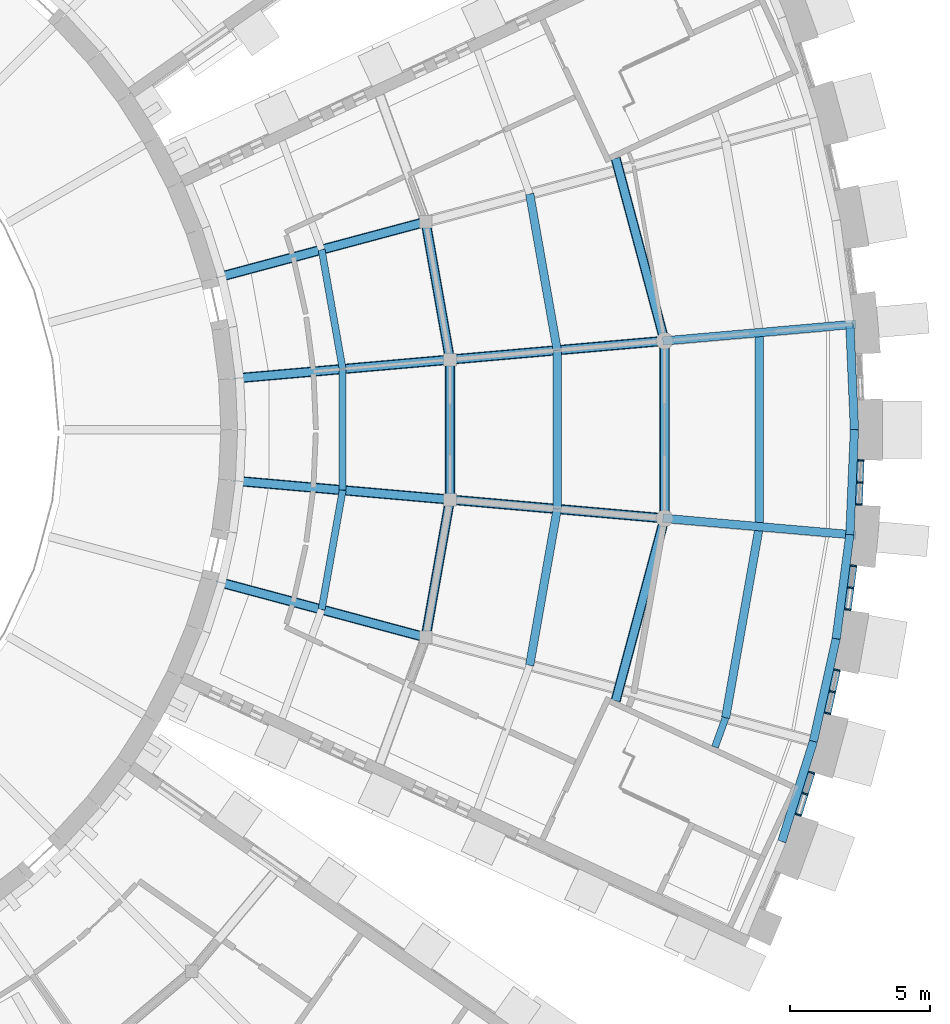
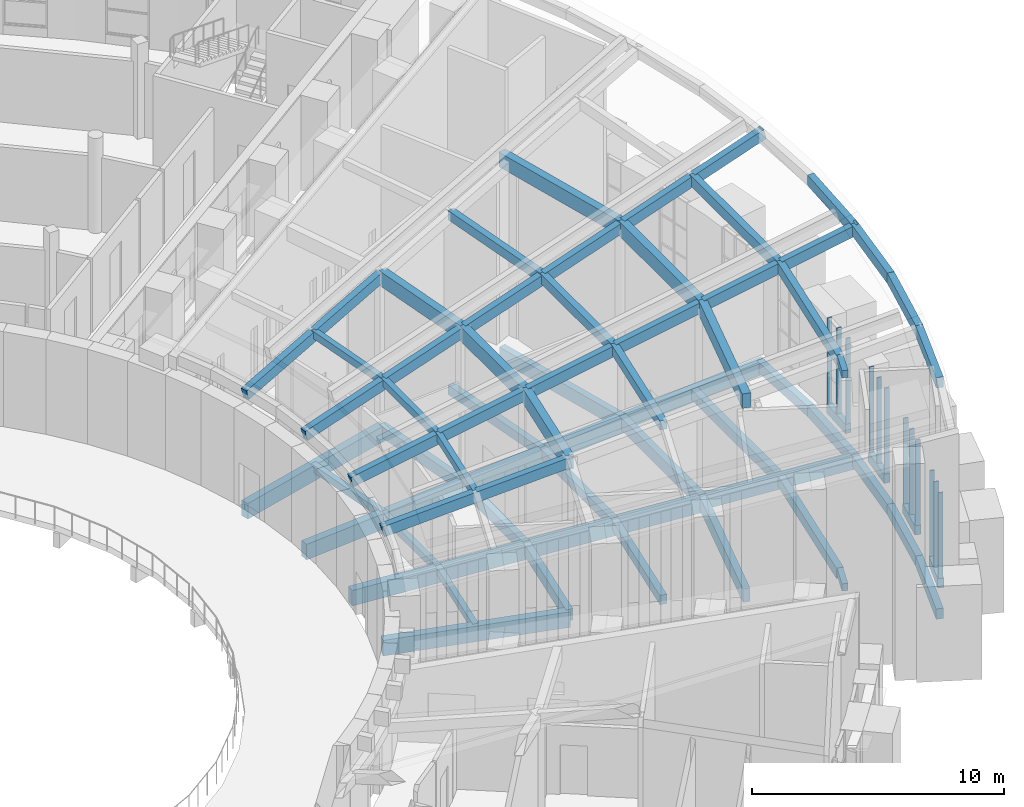
# One storey, part 7 of 50: 59 beams, 12 members, 4 elements without a shape of their own.
"""IFC4 building model written with IfcOpenShell, lengths in metres."""

from ifc_helpers import new_model, si_unit, direction, frame, origin, origin_2d, place, context, subcontext, project, spatial, rectangle, extrude, material, layer, layer_set, material_profile, profile_set, type_object, element, aggregate, save


model = new_model("IFC4")

# Units and contexts
model_context = context("Model", 3, precision=1e-05, world=origin(), true_north=direction((0.0, 1.0)))
body_context = subcontext(model_context, "Body", "Model", "MODEL_VIEW")
ifc_project = project(units=[si_unit("LENGTHUNIT", "METRE"), si_unit("AREAUNIT", "SQUARE_METRE"), si_unit("VOLUMEUNIT", "CUBIC_METRE"), si_unit("PLANEANGLEUNIT", "RADIAN"), si_unit("MASSUNIT", "GRAM", prefix="KILO")], contexts=[model_context])

# Site, building, storey
site_placement = place(None, origin())
site = spatial("IfcSite", under=ifc_project, at=site_placement, CompositionType="ELEMENT")
building_placement = place(site_placement, origin())
building = spatial("IfcBuilding", under=site, at=building_placement, Name="Volute Hill Aquarium", CompositionType="ELEMENT")
storey_placement = place(building_placement, frame((0.0, 0.0, 9.199951171875)))
storey = spatial("IfcBuildingStorey", under=building, at=storey_placement, Name="L03", CompositionType="ELEMENT", Elevation=9.199951171875)

# Beams
ifc_material_1 = material(Name="Concrete C35/45", Category="concrete")
ifc_material_profile_1 = material_profile(ifc_material_1, rectangle(XDim=0.300048828125, YDim=0.550048828125, at=origin_2d()), Name="RC beam 300x550")
ifc_profile_set_1 = profile_set([ifc_material_profile_1], Name="Concrete C35/45")
beam_type_1 = type_object("IfcBeamType", Name="Beam 300x550 C35/45", PredefinedType="BEAM", material=ifc_profile_set_1)
beam_1_placement = place(storey_placement, frame((27.72216796875, -7.427978515625, -0.514892578125), z_axis=(0.173643342996, 0.984808605483, 0.0), x_axis=(-0.984808605483, 0.173643342996, 0.0)))
element("IfcBeam", 1, at=beam_1_placement, inside=storey, type_object=beam_type_1, Name="bm/S4/L03/ring1.12", PredefinedType="BEAM", context=body_context, shape_type="SweptSolid", body=[
    extrude(rectangle(XDim=0.300048828125, YDim=0.550048828125, at=origin_2d()), origin(), (0.0, 0.0, 1.0), 5.00244140625),
])
beam_2_placement = place(storey_placement, frame((28.5908203125, -2.50146484375, -0.514892578125), z_axis=(0.0, 1.0, 0.0), x_axis=(-1.0, 0.0, 0.0)))
element("IfcBeam", 2, at=beam_2_placement, inside=storey, type_object=beam_type_1, Name="bm/S4/L03/ring1.13", PredefinedType="BEAM", context=body_context, shape_type="SweptSolid", body=[
    extrude(rectangle(XDim=0.300048828125, YDim=0.550048828125, at=origin_2d()), origin(), (0.0, 0.0, 1.0), 5.0029296875),
])
beam_3_placement = place(storey_placement, frame((28.5908203125, 2.50146484375, -0.514892578125), z_axis=(-0.173643342996, 0.984808605483, 0.0), x_axis=(-0.984808605483, -0.173643342996, 0.0)))
element("IfcBeam", 3, at=beam_3_placement, inside=storey, type_object=beam_type_1, Name="bm/S4/L03/ring1.14", PredefinedType="BEAM", context=body_context, shape_type="SweptSolid", body=[
    extrude(rectangle(XDim=0.300048828125, YDim=0.550048828125, at=origin_2d()), origin(), (0.0, 0.0, 1.0), 5.00244140625),
])
ifc_material_2 = material(Name="Concrete C35/45", Category="concrete")
ifc_material_profile_2 = material_profile(ifc_material_2, rectangle(XDim=0.300048828125, YDim=0.60009765625, at=origin_2d()), Name="RC beam 300x600")
ifc_profile_set_2 = profile_set([ifc_material_profile_2], Name="Concrete C35/45")
beam_type_2 = type_object("IfcBeamType", Name="Beam 300x600 C35/45", PredefinedType="BEAM", material=ifc_profile_set_2)
beam_4_placement = place(storey_placement, frame((36.261474609375, -3.172607421875, -0.5400390625), z_axis=(0.0, 1.0, 0.0), x_axis=(-1.0, 0.0, 0.0)))
element("IfcBeam", 4, at=beam_4_placement, inside=storey, type_object=beam_type_2, Name="bm/S4/L03/ring2.17", PredefinedType="BEAM", context=body_context, shape_type="SweptSolid", body=[
    extrude(rectangle(XDim=0.300048828125, YDim=0.60009765625, at=origin_2d()), origin(), (0.0, 0.0, 1.0), 6.34521484375),
])
ifc_material_3 = material(Name="Concrete C35/45", Category="concrete")
ifc_material_profile_3 = material_profile(ifc_material_3, rectangle(XDim=0.300048828125, YDim=0.64990234375, at=origin_2d()), Name="RC beam 300x650")
ifc_profile_set_3 = profile_set([ifc_material_profile_3], Name="Concrete C35/45")
beam_type_3 = type_object("IfcBeamType", Name="Beam 300x650 C35/45", PredefinedType="BEAM", material=ifc_profile_set_3)
for number, where, z_axis, x_axis, name in (
    (5, (36.261474609375, -3.172607421875, -0.56494140625), (0.996196405978, -0.087136219314, 0.0), (0.087136219314, 0.996196405978, 0.0), "bm/S4/L03/rad2.5"),
    (6, (36.261474609375, 3.172607421875, -0.56494140625), (0.996196405978, 0.087136219314, 0.0), (-0.087136219314, 0.996196405978, 0.0), "bm/S4/L03/rad3.8"),
):
    element("IfcBeam", number, at=place(storey_placement, frame(where, z_axis=z_axis, x_axis=x_axis)), inside=storey, type_object=beam_type_3, Name=name, PredefinedType="BEAM", context=body_context, shape_type="SweptSolid", body=[
        extrude(rectangle(XDim=0.300048828125, YDim=0.64990234375, at=origin_2d()), origin(), (0.0, 0.0, 1.0), 6.800048828125),
    ])
for number, where, z_axis, x_axis, name in (
    (7, (34.513916015625, -9.694580078125, -0.56494140625), (0.258819223005, 0.96592577862, 0.0), (-0.96592577862, 0.258819223005, 0.0), "bm/S4/L03/ring2.16"),
    (8, (36.261474609375, 3.172607421875, -0.56494140625), (-0.258819223005, 0.96592577862, 0.0), (-0.96592577862, -0.258819223005, 0.0), "bm/S4/L03/ring2.18"),
):
    element("IfcBeam", number, at=place(storey_placement, frame(where, z_axis=z_axis, x_axis=x_axis)), inside=storey, type_object=beam_type_3, Name=name, PredefinedType="BEAM", context=body_context, shape_type="SweptSolid", body=[
        extrude(rectangle(XDim=0.300048828125, YDim=0.64990234375, at=origin_2d()), origin(), (0.0, 0.0, 1.0), 6.751953125),
    ])
ifc_material_4 = material(Name="Concrete C35/45", Category="concrete")
ifc_material_profile_4 = material_profile(ifc_material_4, rectangle(XDim=0.35009765625, YDim=0.699951171875, at=origin_2d()), Name="RC beam 350x700")
ifc_profile_set_4 = profile_set([ifc_material_profile_4], Name="Concrete C35/45")
beam_type_4 = type_object("IfcBeamType", Name="Beam 350x700 C35/45", PredefinedType="BEAM", material=ifc_profile_set_4)
beam_5_placement = place(storey_placement, frame((27.72216796875, -7.427978515625, 6.871337890625), z_axis=(0.173643342996, 0.984808605483, 0.0), x_axis=(-0.984808605483, 0.173643342996, 0.0)))
element("IfcBeam", 9, at=beam_5_placement, inside=storey, type_object=beam_type_4, Name="rb/S4/L03/ring1.12", PredefinedType="BEAM", context=body_context, shape_type="SweptSolid", body=[
    extrude(rectangle(XDim=0.35009765625, YDim=0.699951171875, at=origin_2d()), origin(), (0.0, 0.0, 1.0), 5.00244140625),
])
beam_6_placement = place(storey_placement, frame((28.5908203125, -2.50146484375, 6.871337890625), z_axis=(0.0, 1.0, 0.0), x_axis=(-1.0, 0.0, 0.0)))
element("IfcBeam", 10, at=beam_6_placement, inside=storey, type_object=beam_type_4, Name="rb/S4/L03/ring1.13", PredefinedType="BEAM", context=body_context, shape_type="SweptSolid", body=[
    extrude(rectangle(XDim=0.35009765625, YDim=0.699951171875, at=origin_2d()), origin(), (0.0, 0.0, 1.0), 5.0029296875),
])
beam_7_placement = place(storey_placement, frame((28.5908203125, 2.50146484375, 6.871337890625), z_axis=(-0.173643342996, 0.984808605483, 0.0), x_axis=(-0.984808605483, -0.173643342996, 0.0)))
element("IfcBeam", 11, at=beam_7_placement, inside=storey, type_object=beam_type_4, Name="rb/S4/L03/ring1.14", PredefinedType="BEAM", context=body_context, shape_type="SweptSolid", body=[
    extrude(rectangle(XDim=0.35009765625, YDim=0.699951171875, at=origin_2d()), origin(), (0.0, 0.0, 1.0), 5.00244140625),
])
beam_8_placement = place(storey_placement, frame((34.513916015625, -9.694580078125, 8.850830078125), z_axis=(0.258819223005, 0.96592577862, 0.0), x_axis=(-0.96592577862, 0.258819223005, 0.0)))
element("IfcBeam", 12, at=beam_8_placement, inside=storey, type_object=beam_type_4, Name="rb/S4/L03/ring2.16", PredefinedType="BEAM", context=body_context, shape_type="SweptSolid", body=[
    extrude(rectangle(XDim=0.35009765625, YDim=0.699951171875, at=origin_2d()), origin(), (0.0, 0.0, 1.0), 6.751953125),
])
beam_9_placement = place(storey_placement, frame((36.261474609375, -3.172607421875, 8.850830078125), z_axis=(0.0, 1.0, 0.0), x_axis=(-1.0, 0.0, 0.0)))
element("IfcBeam", 13, at=beam_9_placement, inside=storey, type_object=beam_type_4, Name="rb/S4/L03/ring2.17", PredefinedType="BEAM", context=body_context, shape_type="SweptSolid", body=[
    extrude(rectangle(XDim=0.35009765625, YDim=0.699951171875, at=origin_2d()), origin(), (0.0, 0.0, 1.0), 6.34521484375),
])
beam_10_placement = place(storey_placement, frame((36.261474609375, 3.172607421875, 8.850830078125), z_axis=(-0.258819223005, 0.96592577862, 0.0), x_axis=(-0.96592577862, -0.258819223005, 0.0)))
element("IfcBeam", 14, at=beam_10_placement, inside=storey, type_object=beam_type_4, Name="rb/S4/L03/ring2.18", PredefinedType="BEAM", context=body_context, shape_type="SweptSolid", body=[
    extrude(rectangle(XDim=0.35009765625, YDim=0.699951171875, at=origin_2d()), origin(), (0.0, 0.0, 1.0), 6.751953125),
])
ifc_material_5 = material(Name="Concrete C35/45", Category="concrete")
ifc_material_profile_5 = material_profile(ifc_material_5, rectangle(XDim=0.35009765625, YDim=0.75, at=origin_2d()), Name="RC beam 350x750")
ifc_profile_set_5 = profile_set([ifc_material_profile_5], Name="Concrete C35/45")
beam_type_5 = type_object("IfcBeamType", Name="Beam 350x750 C35/45", PredefinedType="BEAM", material=ifc_profile_set_5)
for number, where, z_axis, x_axis, name in (
    (15, (20.284423828125, -5.435302734375, -0.614990234375), (0.965934324242, -0.258787328228, 0.0), (0.258787328228, 0.965934324242, 0.0), "bm/S4/L03/rad1.1"),
    (16, (20.920166015625, -1.830322265625, -0.614990234375), (0.996194164888, -0.087161837082, 0.0), (0.087161837082, 0.996194164888, 0.0), "bm/S4/L03/rad2.3"),
    (17, (28.5908203125, -2.50146484375, -0.614990234375), (0.996194164888, -0.087161837082, 0.0), (0.087161837082, 0.996194164888, 0.0), "bm/S4/L03/rad2.4"),
    (18, (20.920166015625, 1.830322265625, -0.614990234375), (0.996194164888, 0.087161837082, 0.0), (-0.087161837082, 0.996194164888, 0.0), "bm/S4/L03/rad3.6"),
    (19, (28.5908203125, 2.50146484375, -0.614990234375), (0.996194164888, 0.087161837082, 0.0), (-0.087161837082, 0.996194164888, 0.0), "bm/S4/L03/rad3.7"),
    (20, (20.284423828125, 5.435302734375, -0.614990234375), (0.965934324242, 0.258787328228, 0.0), (-0.258787328228, 0.965934324242, 0.0), "bm/S4/L03/rad4.9"),
):
    element("IfcBeam", number, at=place(storey_placement, frame(where, z_axis=z_axis, x_axis=x_axis)), inside=storey, type_object=beam_type_5, Name=name, PredefinedType="BEAM", context=body_context, shape_type="SweptSolid", body=[
        extrude(rectangle(XDim=0.35009765625, YDim=0.75, at=origin_2d()), origin(), (0.0, 0.0, 1.0), 7.699951171875),
    ])

# Curtain wall, members
ifc_material_6 = material(Name="Aluminium", Category="aluminium")
ifc_layer = layer(ifc_material_6, 0.25)
ifc_layer_set = layer_set([ifc_layer], Name="Curtain wall niche S4 module 819")
curtain_wall_type = type_object("IfcCurtainWallType", Name="Curtain wall niche S4 module 819", PredefinedType="NOTDEFINED", material=ifc_layer_set)
curtain_wall_1_placement = place(storey_placement, origin())
curtain_wall_1 = element("IfcCurtainWall", 21, at=curtain_wall_1_placement, inside=storey, type_object=curtain_wall_type, Name="Curtain wall CW S4 L03 2", PredefinedType="NOTDEFINED")
ifc_material_7 = material(Name="Aluminium", Category="aluminium")
ifc_material_profile_6 = material_profile(ifc_material_7, rectangle(XDim=0.199951171875, YDim=0.06005859375, at=origin_2d()), Name="Curtain wall mullion S4 60x200")
ifc_profile_set_6 = profile_set([ifc_material_profile_6], Name="Aluminium")
member_type = type_object("IfcMemberType", Name="Curtain wall mullion S4 60x200", PredefinedType="MULLION", material=ifc_profile_set_6)
member_1_placement = place(storey_placement, frame((41.04296875, -13.767822265625, 0.449951171875), z_axis=(0.0, 0.0, 1.0), x_axis=(-0.953715759869, 0.300709576466, 0.0)))
member_1 = element("IfcMember", 22, at=member_1_placement, type_object=member_type, Name="CW mullion 1", PredefinedType="MULLION", context=body_context, shape_type="SweptSolid", body=[
    extrude(rectangle(XDim=0.199951171875, YDim=0.06005859375, at=origin_2d()), origin(), (0.0, 0.0, 1.0), 4.150146484375),
])
member_2_placement = place(storey_placement, frame((41.2802734375, -13.015625, 0.449951171875), z_axis=(0.0, 0.0, 1.0), x_axis=(-0.953715759869, 0.300709576466, 0.0)))
member_2 = element("IfcMember", 23, at=member_2_placement, type_object=member_type, Name="CW mullion 2", PredefinedType="MULLION", context=body_context, shape_type="SweptSolid", body=[
    extrude(rectangle(XDim=0.199951171875, YDim=0.06005859375, at=origin_2d()), origin(), (0.0, 0.0, 1.0), 4.150146484375),
])
member_3_placement = place(storey_placement, frame((41.517333984375, -12.263427734375, 0.449951171875), z_axis=(0.0, 0.0, 1.0), x_axis=(-0.953715759869, 0.300709576466, 0.0)))
member_3 = element("IfcMember", 24, at=member_3_placement, type_object=member_type, Name="CW mullion 3", PredefinedType="MULLION", context=body_context, shape_type="SweptSolid", body=[
    extrude(rectangle(XDim=0.199951171875, YDim=0.06005859375, at=origin_2d()), origin(), (0.0, 0.0, 1.0), 4.150146484375),
])
aggregate(curtain_wall_1, [member_1, member_2, member_3])

curtain_wall_2_placement = place(storey_placement, origin())
curtain_wall_2 = element("IfcCurtainWall", 25, at=curtain_wall_2_placement, inside=storey, type_object=curtain_wall_type, Name="Curtain wall CW S4 L03 3", PredefinedType="NOTDEFINED")
member_4_placement = place(storey_placement, frame((42.0869140625, -10.138427734375, 0.449951171875), z_axis=(0.0, 0.0, 1.0), x_axis=(-0.976297724054, 0.216431869204, 0.0)))
member_4 = element("IfcMember", 26, at=member_4_placement, type_object=member_type, Name="CW mullion 1", PredefinedType="MULLION", context=body_context, shape_type="SweptSolid", body=[
    extrude(rectangle(XDim=0.199951171875, YDim=0.06005859375, at=origin_2d()), origin(), (0.0, 0.0, 1.0), 4.150146484375),
])
member_5_placement = place(storey_placement, frame((42.257568359375, -9.368408203125, 0.449951171875), z_axis=(0.0, 0.0, 1.0), x_axis=(-0.976297724054, 0.216431869204, 0.0)))
member_5 = element("IfcMember", 27, at=member_5_placement, type_object=member_type, Name="CW mullion 2", PredefinedType="MULLION", context=body_context, shape_type="SweptSolid", body=[
    extrude(rectangle(XDim=0.199951171875, YDim=0.06005859375, at=origin_2d()), origin(), (0.0, 0.0, 1.0), 4.150146484375),
])
member_6_placement = place(storey_placement, frame((42.42822265625, -8.598388671875, 0.449951171875), z_axis=(0.0, 0.0, 1.0), x_axis=(-0.976297724054, 0.216431869204, 0.0)))
member_6 = element("IfcMember", 28, at=member_6_placement, type_object=member_type, Name="CW mullion 3", PredefinedType="MULLION", context=body_context, shape_type="SweptSolid", body=[
    extrude(rectangle(XDim=0.199951171875, YDim=0.06005859375, at=origin_2d()), origin(), (0.0, 0.0, 1.0), 4.150146484375),
])
aggregate(curtain_wall_2, [member_4, member_5, member_6])

curtain_wall_3_placement = place(storey_placement, origin())
curtain_wall_3 = element("IfcCurtainWall", 29, at=curtain_wall_3_placement, inside=storey, type_object=curtain_wall_type, Name="Curtain wall CW S4 L03 4", PredefinedType="NOTDEFINED")
member_7_placement = place(storey_placement, frame((42.810302734375, -6.431640625, 0.449951171875), z_axis=(0.0, 0.0, 1.0), x_axis=(-0.991446228392, 0.130515808269, 0.0)))
member_7 = element("IfcMember", 30, at=member_7_placement, type_object=member_type, Name="CW mullion 1", PredefinedType="MULLION", context=body_context, shape_type="SweptSolid", body=[
    extrude(rectangle(XDim=0.199951171875, YDim=0.06005859375, at=origin_2d()), origin(), (0.0, 0.0, 1.0), 4.150146484375),
])
member_8_placement = place(storey_placement, frame((42.9130859375, -5.649658203125, 0.449951171875), z_axis=(0.0, 0.0, 1.0), x_axis=(-0.991446228392, 0.130515808269, 0.0)))
member_8 = element("IfcMember", 31, at=member_8_placement, type_object=member_type, Name="CW mullion 2", PredefinedType="MULLION", context=body_context, shape_type="SweptSolid", body=[
    extrude(rectangle(XDim=0.199951171875, YDim=0.06005859375, at=origin_2d()), origin(), (0.0, 0.0, 1.0), 4.150146484375),
])
member_9_placement = place(storey_placement, frame((43.01611328125, -4.86767578125, 0.449951171875), z_axis=(0.0, 0.0, 1.0), x_axis=(-0.991446228392, 0.130515808269, 0.0)))
member_9 = element("IfcMember", 32, at=member_9_placement, type_object=member_type, Name="CW mullion 3", PredefinedType="MULLION", context=body_context, shape_type="SweptSolid", body=[
    extrude(rectangle(XDim=0.199951171875, YDim=0.06005859375, at=origin_2d()), origin(), (0.0, 0.0, 1.0), 4.150146484375),
])
aggregate(curtain_wall_3, [member_7, member_8, member_9])

curtain_wall_4_placement = place(storey_placement, origin())
curtain_wall_4 = element("IfcCurtainWall", 33, at=curtain_wall_4_placement, inside=storey, type_object=curtain_wall_type, Name="Curtain wall CW S4 L03 5", PredefinedType="NOTDEFINED")
member_10_placement = place(storey_placement, frame((43.207763671875, -2.67578125, 0.449951171875), z_axis=(0.0, 0.0, 1.0), x_axis=(-0.999048341335, 0.043616644488, 0.0)))
member_10 = element("IfcMember", 34, at=member_10_placement, type_object=member_type, Name="CW mullion 1", PredefinedType="MULLION", context=body_context, shape_type="SweptSolid", body=[
    extrude(rectangle(XDim=0.199951171875, YDim=0.06005859375, at=origin_2d()), origin(), (0.0, 0.0, 1.0), 4.150146484375),
])
member_11_placement = place(storey_placement, frame((43.2421875, -1.887939453125, 0.449951171875), z_axis=(0.0, 0.0, 1.0), x_axis=(-0.999048341335, 0.043616644488, 0.0)))
member_11 = element("IfcMember", 35, at=member_11_placement, type_object=member_type, Name="CW mullion 2", PredefinedType="MULLION", context=body_context, shape_type="SweptSolid", body=[
    extrude(rectangle(XDim=0.199951171875, YDim=0.06005859375, at=origin_2d()), origin(), (0.0, 0.0, 1.0), 4.150146484375),
])
member_12_placement = place(storey_placement, frame((43.276611328125, -1.099853515625, 0.449951171875), z_axis=(0.0, 0.0, 1.0), x_axis=(-0.999048341335, 0.043616644488, 0.0)))
member_12 = element("IfcMember", 36, at=member_12_placement, type_object=member_type, Name="CW mullion 3", PredefinedType="MULLION", context=body_context, shape_type="SweptSolid", body=[
    extrude(rectangle(XDim=0.199951171875, YDim=0.06005859375, at=origin_2d()), origin(), (0.0, 0.0, 1.0), 4.150146484375),
])
aggregate(curtain_wall_4, [member_10, member_11, member_12])

# Beams
ifc_material_8 = material(Name="Concrete C35/45", Category="concrete")
ifc_material_profile_7 = material_profile(ifc_material_8, rectangle(XDim=0.300048828125, YDim=0.5, at=origin_2d()), Name="RC edge beam 300x500")
ifc_profile_set_7 = profile_set([ifc_material_profile_7], Name="Concrete C35/45")
beam_type_6 = type_object("IfcBeamType", Name="Edge beam 300x500 C35/45", PredefinedType="BEAM", material=ifc_profile_set_7)
for number, where, z_axis, x_axis, name in (
    (37, (40.45361328125, -14.723876953125, -0.489990234375), (0.300720668407, 0.953712262474, 0.0), (-0.953712262474, 0.300720668407, 0.0), "bm/S4/L03/edgeO.30"),
    (38, (41.5830078125, -11.14208984375, -0.489990234375), (0.216414181403, 0.97630164503, 0.0), (-0.97630164503, 0.216414181403, 0.0), "bm/S4/L03/edgeO.31"),
):
    element("IfcBeam", number, at=place(storey_placement, frame(where, z_axis=z_axis, x_axis=x_axis)), inside=storey, type_object=beam_type_6, Name=name, PredefinedType="BEAM", context=body_context, shape_type="SweptSolid", body=[
        extrude(rectangle(XDim=0.300048828125, YDim=0.5, at=origin_2d()), origin(), (0.0, 0.0, 1.0), 3.755615234375),
    ])
beam_11_placement = place(storey_placement, frame((42.395751953125, -7.4755859375, -0.489990234375), z_axis=(0.130528499327, 0.991444557635, 0.0), x_axis=(-0.991444557635, 0.130528499327, 0.0)))
element("IfcBeam", 39, at=beam_11_placement, inside=storey, type_object=beam_type_6, Name="bm/S4/L03/edgeO.32", PredefinedType="BEAM", context=body_context, shape_type="SweptSolid", body=[
    extrude(rectangle(XDim=0.300048828125, YDim=0.5, at=origin_2d()), origin(), (0.0, 0.0, 1.0), 3.755859375),
])
for number, where, z_axis, x_axis, name in (
    (40, (42.885986328125, -3.751953125, -0.489990234375), (0.043620596126, 0.999048168805, 0.0), (-0.999048168805, 0.043620596126, 0.0), "bm/S4/L03/edgeO.33"),
    (41, (43.0498046875, 0.0, -0.489990234375), (-0.043620596126, 0.999048168805, 0.0), (-0.999048168805, -0.043620596126, 0.0), "bm/S4/L03/edgeO.34"),
):
    element("IfcBeam", number, at=place(storey_placement, frame(where, z_axis=z_axis, x_axis=x_axis)), inside=storey, type_object=beam_type_6, Name=name, PredefinedType="BEAM", context=body_context, shape_type="SweptSolid", body=[
        extrude(rectangle(XDim=0.300048828125, YDim=0.5, at=origin_2d()), origin(), (0.0, 0.0, 1.0), 3.755615234375),
    ])
for number, where, z_axis, x_axis, name in (
    (42, (40.45361328125, -14.723876953125, 10.70263671875), (0.300701653264, 0.953651957424, -0.011245435801), (-0.953712262474, 0.300720668407, 0.0), "rb/S4/L03/edgeO.30"),
    (43, (41.5830078125, -11.14208984375, 10.660400390625), (0.216400496221, 0.976239907553, 0.011245805301), (-0.97630164503, 0.216414181403, 0.0), "rb/S4/L03/edgeO.31"),
):
    element("IfcBeam", number, at=place(storey_placement, frame(where, z_axis=z_axis, x_axis=x_axis)), inside=storey, type_object=beam_type_6, Name=name, PredefinedType="BEAM", context=body_context, shape_type="SweptSolid", body=[
        extrude(rectangle(XDim=0.300048828125, YDim=0.5, at=origin_2d()), origin(), (0.0, 0.0, 1.0), 3.755859375),
    ])
beam_12_placement = place(storey_placement, frame((42.395751953125, -7.4755859375, 10.70263671875), z_axis=(0.130520246369, 0.991381871322, -0.011245021226), x_axis=(-0.991444557635, 0.130528499327, 0.0)))
element("IfcBeam", 44, at=beam_12_placement, inside=storey, type_object=beam_type_6, Name="rb/S4/L03/edgeO.32", PredefinedType="BEAM", context=body_context, shape_type="SweptSolid", body=[
    extrude(rectangle(XDim=0.300048828125, YDim=0.5, at=origin_2d()), origin(), (0.0, 0.0, 1.0), 3.756103515625),
])
beam_13_placement = place(storey_placement, frame((42.885986328125, -3.751953125, 10.660400390625), z_axis=(0.043617837767, 0.998984993755, 0.011245731645), x_axis=(-0.999048168805, 0.043620596126, 0.0)))
element("IfcBeam", 45, at=beam_13_placement, inside=storey, type_object=beam_type_6, Name="rb/S4/L03/edgeO.33", PredefinedType="BEAM", context=body_context, shape_type="SweptSolid", body=[
    extrude(rectangle(XDim=0.300048828125, YDim=0.5, at=origin_2d()), origin(), (0.0, 0.0, 1.0), 3.755859375),
])
ifc_material_9 = material(Name="Concrete C35/45", Category="concrete")
ifc_material_profile_8 = material_profile(ifc_material_9, rectangle(XDim=0.25, YDim=0.35009765625, at=origin_2d()), Name="RC joist 250x350")
ifc_profile_set_8 = profile_set([ifc_material_profile_8], Name="Concrete C35/45")
beam_type_7 = type_object("IfcBeamType", Name="Joist 250x350 C35/45", PredefinedType="BEAM", material=ifc_profile_set_8)
for number, where, z_axis, x_axis, name in (
    (46, (24.00341796875, -6.431640625, -0.4150390625), (0.173595628323, 0.984817017434, 0.0), (-0.984817017434, 0.173595628323, 0.0), "bm/S4/L03/jst2"),
    (47, (24.75537109375, -2.165771484375, -0.4150390625), (0.0, 1.0, 0.0), (-1.0, 0.0, 0.0), "bm/S4/L03/jst3"),
    (48, (24.75537109375, 2.165771484375, -0.4150390625), (-0.173595628323, 0.984817017434, 0.0), (-0.984817017434, -0.173595628323, 0.0), "bm/S4/L03/jst4"),
):
    element("IfcBeam", number, at=place(storey_placement, frame(where, z_axis=z_axis, x_axis=x_axis)), inside=storey, type_object=beam_type_7, Name=name, PredefinedType="BEAM", context=body_context, shape_type="SweptSolid", body=[
        extrude(rectangle(XDim=0.25, YDim=0.35009765625, at=origin_2d()), origin(), (0.0, 0.0, 1.0), 4.33154296875),
    ])
beam_14_placement = place(storey_placement, frame((38.062255859375, -11.34912109375, -0.4150390625), z_axis=(0.342112100043, 0.939659146182, 0.0), x_axis=(-0.939659146182, 0.342112100043, 0.0)))
element("IfcBeam", 49, at=beam_14_placement, inside=storey, type_object=beam_type_7, Name="bm/S4/L03/jst11", PredefinedType="BEAM", context=body_context, shape_type="SweptSolid", body=[
    extrude(rectangle(XDim=0.25, YDim=0.35009765625, at=origin_2d()), origin(), (0.0, 0.0, 1.0), 1.115478515625),
])
for number, where, z_axis, x_axis, name in (
    (50, (24.00341796875, -6.431640625, 6.056640625), (0.173595628323, 0.984817017434, 0.0), (-0.984817017434, 0.173595628323, 0.0), "rb/S4/L03/jst2"),
    (51, (24.75537109375, -2.165771484375, 6.056640625), (0.0, 1.0, 0.0), (-1.0, 0.0, 0.0), "rb/S4/L03/jst3"),
    (52, (24.75537109375, 2.165771484375, 6.056640625), (-0.173595628323, 0.984817017434, 0.0), (-0.984817017434, -0.173595628323, 0.0), "rb/S4/L03/jst4"),
):
    element("IfcBeam", number, at=place(storey_placement, frame(where, z_axis=z_axis, x_axis=x_axis)), inside=storey, type_object=beam_type_7, Name=name, PredefinedType="BEAM", context=body_context, shape_type="SweptSolid", body=[
        extrude(rectangle(XDim=0.25, YDim=0.35009765625, at=origin_2d()), origin(), (0.0, 0.0, 1.0), 4.33154296875),
    ])
beam_15_placement = place(storey_placement, frame((38.062255859375, -11.34912109375, 9.900146484375), z_axis=(0.342112100043, 0.939659146182, 0.0), x_axis=(-0.939659146182, 0.342112100043, 0.0)))
element("IfcBeam", 53, at=beam_15_placement, inside=storey, type_object=beam_type_7, Name="rb/S4/L03/jst11", PredefinedType="BEAM", context=body_context, shape_type="SweptSolid", body=[
    extrude(rectangle(XDim=0.25, YDim=0.35009765625, at=origin_2d()), origin(), (0.0, 0.0, 1.0), 1.115478515625),
])
ifc_material_10 = material(Name="Concrete C35/45", Category="concrete")
ifc_material_profile_9 = material_profile(ifc_material_10, rectangle(XDim=0.300048828125, YDim=0.449951171875, at=origin_2d()), Name="RC joist 300x450")
ifc_profile_set_9 = profile_set([ifc_material_profile_9], Name="Concrete C35/45")
beam_type_8 = type_object("IfcBeamType", Name="Joist 300x450 C35/45", PredefinedType="BEAM", material=ifc_profile_set_9)
for number, where, z_axis, x_axis, name in (
    (54, (31.44091796875, -8.424560546875, -0.46484375), (0.173623321821, 0.984812135445, 0.0), (-0.984812135445, 0.173623321821, 0.0), "bm/S4/L03/jst7"),
    (55, (32.426025390625, -2.8369140625, -0.46484375), (0.0, 1.0, 0.0), (-1.0, 0.0, 0.0), "bm/S4/L03/jst8"),
    (56, (32.426025390625, 2.8369140625, -0.46484375), (-0.173623321821, 0.984812135445, 0.0), (-0.984812135445, -0.173623321821, 0.0), "bm/S4/L03/jst9"),
    (57, (31.44091796875, -8.424560546875, 7.986083984375), (0.173623321821, 0.984812135445, 0.0), (-0.984812135445, 0.173623321821, 0.0), "rb/S4/L03/jst7"),
    (58, (32.426025390625, -2.8369140625, 7.986083984375), (0.0, 1.0, 0.0), (-1.0, 0.0, 0.0), "rb/S4/L03/jst8"),
    (59, (32.426025390625, 2.8369140625, 7.986083984375), (-0.173623321821, 0.984812135445, 0.0), (-0.984812135445, -0.173623321821, 0.0), "rb/S4/L03/jst9"),
):
    element("IfcBeam", number, at=place(storey_placement, frame(where, z_axis=z_axis, x_axis=x_axis)), inside=storey, type_object=beam_type_8, Name=name, PredefinedType="BEAM", context=body_context, shape_type="SweptSolid", body=[
        extrude(rectangle(XDim=0.300048828125, YDim=0.449951171875, at=origin_2d()), origin(), (0.0, 0.0, 1.0), 5.673828125),
    ])
ifc_material_11 = material(Name="Concrete C35/45", Category="concrete")
ifc_material_profile_10 = material_profile(ifc_material_11, rectangle(XDim=0.300048828125, YDim=0.5, at=origin_2d()), Name="RC joist 300x500")
ifc_profile_set_10 = profile_set([ifc_material_profile_10], Name="Concrete C35/45")
beam_type_9 = type_object("IfcBeamType", Name="Joist 300x500 C35/45", PredefinedType="BEAM", material=ifc_profile_set_10)
beam_16_placement = place(storey_placement, frame((38.44384765625, -10.301025390625, -0.489990234375), z_axis=(0.173630752629, 0.984810825358, 0.0), x_axis=(-0.984810825358, 0.173630752629, 0.0)))
element("IfcBeam", 60, at=beam_16_placement, inside=storey, type_object=beam_type_9, Name="bm/S4/L03/jst12", PredefinedType="BEAM", context=body_context, shape_type="SweptSolid", body=[
    extrude(rectangle(XDim=0.300048828125, YDim=0.5, at=origin_2d()), origin(), (0.0, 0.0, 1.0), 6.937744140625),
])
beam_17_placement = place(storey_placement, frame((39.6484375, -3.46875, -0.489990234375), z_axis=(0.0, 1.0, 0.0), x_axis=(-1.0, 0.0, 0.0)))
element("IfcBeam", 61, at=beam_17_placement, inside=storey, type_object=beam_type_9, Name="bm/S4/L03/jst13", PredefinedType="BEAM", context=body_context, shape_type="SweptSolid", body=[
    extrude(rectangle(XDim=0.300048828125, YDim=0.5, at=origin_2d()), origin(), (0.0, 0.0, 1.0), 6.9375),
])
beam_18_placement = place(storey_placement, frame((38.44384765625, -10.301025390625, 9.824951171875), z_axis=(0.173630752629, 0.984810825358, 0.0), x_axis=(-0.984810825358, 0.173630752629, 0.0)))
element("IfcBeam", 62, at=beam_18_placement, inside=storey, type_object=beam_type_9, Name="rb/S4/L03/jst12", PredefinedType="BEAM", context=body_context, shape_type="SweptSolid", body=[
    extrude(rectangle(XDim=0.300048828125, YDim=0.5, at=origin_2d()), origin(), (0.0, 0.0, 1.0), 6.937744140625),
])
beam_19_placement = place(storey_placement, frame((39.6484375, -3.46875, 9.824951171875), z_axis=(0.0, 1.0, 0.0), x_axis=(-1.0, 0.0, 0.0)))
element("IfcBeam", 63, at=beam_19_placement, inside=storey, type_object=beam_type_9, Name="rb/S4/L03/jst13", PredefinedType="BEAM", context=body_context, shape_type="SweptSolid", body=[
    extrude(rectangle(XDim=0.300048828125, YDim=0.5, at=origin_2d()), origin(), (0.0, 0.0, 1.0), 6.9375),
])
ifc_material_12 = material(Name="Concrete C35/45", Category="concrete")
ifc_material_profile_11 = material_profile(ifc_material_12, rectangle(XDim=0.25, YDim=0.449951171875, at=origin_2d()), Name="RC beam 250x450")
ifc_profile_set_11 = profile_set([ifc_material_profile_11], Name="Concrete C35/45")
beam_type_10 = type_object("IfcBeamType", Name="Niche sill beam RC 250x450 C35/45", PredefinedType="BEAM", material=ifc_profile_set_11)
beam_20_placement = place(storey_placement, frame((41.033935546875, -13.79638671875, 0.22509765625), z_axis=(0.300753125362, 0.953702027672, 0.0), x_axis=(-0.953702027672, 0.300753125362, 0.0)))
element("IfcBeam", 64, at=beam_20_placement, inside=storey, type_object=beam_type_10, Name="Niche sill beam OWB S4 L03 2", PredefinedType="BEAM", context=body_context, shape_type="SweptSolid", body=[
    extrude(rectangle(XDim=0.25, YDim=0.449951171875, at=origin_2d()), origin(), (0.0, 0.0, 1.0), 1.63720703125),
])
beam_21_placement = place(storey_placement, frame((42.080322265625, -10.167724609375, 0.22509765625), z_axis=(0.216346291888, 0.976316691441, 0.0), x_axis=(-0.976316691441, 0.216346291888, 0.0)))
element("IfcBeam", 65, at=beam_21_placement, inside=storey, type_object=beam_type_10, Name="Niche sill beam OWB S4 L03 3", PredefinedType="BEAM", context=body_context, shape_type="SweptSolid", body=[
    extrude(rectangle(XDim=0.25, YDim=0.449951171875, at=origin_2d()), origin(), (0.0, 0.0, 1.0), 1.637451171875),
])
for number, where, z_axis, x_axis, name in (
    (66, (42.806396484375, -6.461181640625, 0.22509765625), (0.130473798764, 0.991451757695, 0.0), (-0.991451757695, 0.130473798764, 0.0), "Niche sill beam OWB S4 L03 4"),
    (67, (43.20654296875, -2.705810546875, 0.22509765625), (0.043689586592, 0.999045154146, 0.0), (-0.999045154146, 0.043689586592, 0.0), "Niche sill beam OWB S4 L03 5"),
):
    element("IfcBeam", number, at=place(storey_placement, frame(where, z_axis=z_axis, x_axis=x_axis)), inside=storey, type_object=beam_type_10, Name=name, PredefinedType="BEAM", context=body_context, shape_type="SweptSolid", body=[
        extrude(rectangle(XDim=0.25, YDim=0.449951171875, at=origin_2d()), origin(), (0.0, 0.0, 1.0), 1.63720703125),
    ])
ifc_material_13 = material(Name="Concrete C35/45", Category="concrete")
ifc_material_profile_12 = material_profile(ifc_material_13, rectangle(XDim=0.300048828125, YDim=0.5, at=origin_2d()), Name="RC rib 300x500")
ifc_profile_set_12 = profile_set([ifc_material_profile_12], Name="Concrete C35/45")
beam_type_11 = type_object("IfcBeamType", Name="Roof rib 300x500 C35/45", PredefinedType="BEAM", material=ifc_profile_set_12)
for number, where, z_axis, x_axis, name in (
    (68, (20.284423828125, -5.435302734375, 4.983642578125), (0.935515834199, -0.250637788896, 0.248979562898), (0.258787328228, 0.965934324242, 0.0), "rb/S4/L03/rib1.1"),
    (69, (20.920166015625, -1.830322265625, 4.983642578125), (0.964822035559, -0.084416938023, 0.248982369404), (0.087161837082, 0.996194164888, 0.0), "rb/S4/L03/rib2.3"),
    (70, (28.5908203125, -2.50146484375, 6.963134765625), (0.964814658344, -0.084416292555, 0.249011173637), (0.087161837082, 0.996194164888, 0.0), "rb/S4/L03/rib2.4"),
):
    element("IfcBeam", number, at=place(storey_placement, frame(where, z_axis=z_axis, x_axis=x_axis)), inside=storey, type_object=beam_type_11, Name=name, PredefinedType="BEAM", context=body_context, shape_type="SweptSolid", body=[
        extrude(rectangle(XDim=0.300048828125, YDim=0.5, at=origin_2d()), origin(), (0.0, 0.0, 1.0), 7.950439453125),
    ])
beam_22_placement = place(storey_placement, frame((36.261474609375, -3.172607421875, 8.94287109375), z_axis=(0.964827430882, -0.08439240908, 0.248969777097), x_axis=(0.087136219314, 0.996196405978, 0.0)))
element("IfcBeam", 71, at=beam_22_placement, inside=storey, type_object=beam_type_11, Name="rb/S4/L03/rib2.5", PredefinedType="BEAM", context=body_context, shape_type="SweptSolid", body=[
    extrude(rectangle(XDim=0.300048828125, YDim=0.5, at=origin_2d()), origin(), (0.0, 0.0, 1.0), 7.021240234375),
])
for number, where, z_axis, x_axis, name in (
    (72, (20.920166015625, 1.830322265625, 4.983642578125), (0.964822035559, 0.084416938023, 0.248982369404), (-0.087161837082, 0.996194164888, 0.0), "rb/S4/L03/rib3.6"),
    (73, (28.5908203125, 2.50146484375, 6.963134765625), (0.964814658344, 0.084416292555, 0.249011173637), (-0.087161837082, 0.996194164888, 0.0), "rb/S4/L03/rib3.7"),
):
    element("IfcBeam", number, at=place(storey_placement, frame(where, z_axis=z_axis, x_axis=x_axis)), inside=storey, type_object=beam_type_11, Name=name, PredefinedType="BEAM", context=body_context, shape_type="SweptSolid", body=[
        extrude(rectangle(XDim=0.300048828125, YDim=0.5, at=origin_2d()), origin(), (0.0, 0.0, 1.0), 7.950439453125),
    ])
beam_23_placement = place(storey_placement, frame((36.261474609375, 3.172607421875, 8.94287109375), z_axis=(0.964827430882, 0.08439240908, 0.248969777097), x_axis=(-0.087136219314, 0.996196405978, 0.0)))
element("IfcBeam", 74, at=beam_23_placement, inside=storey, type_object=beam_type_11, Name="rb/S4/L03/rib3.8", PredefinedType="BEAM", context=body_context, shape_type="SweptSolid", body=[
    extrude(rectangle(XDim=0.300048828125, YDim=0.5, at=origin_2d()), origin(), (0.0, 0.0, 1.0), 7.021240234375),
])
beam_24_placement = place(storey_placement, frame((20.284423828125, 5.435302734375, 4.983642578125), z_axis=(0.935515834199, 0.250637788896, 0.248979562898), x_axis=(-0.258787328228, 0.965934324242, 0.0)))
element("IfcBeam", 75, at=beam_24_placement, inside=storey, type_object=beam_type_11, Name="rb/S4/L03/rib4.9", PredefinedType="BEAM", context=body_context, shape_type="SweptSolid", body=[
    extrude(rectangle(XDim=0.300048828125, YDim=0.5, at=origin_2d()), origin(), (0.0, 0.0, 1.0), 7.950439453125),
])

save(model, "model.ifc")
